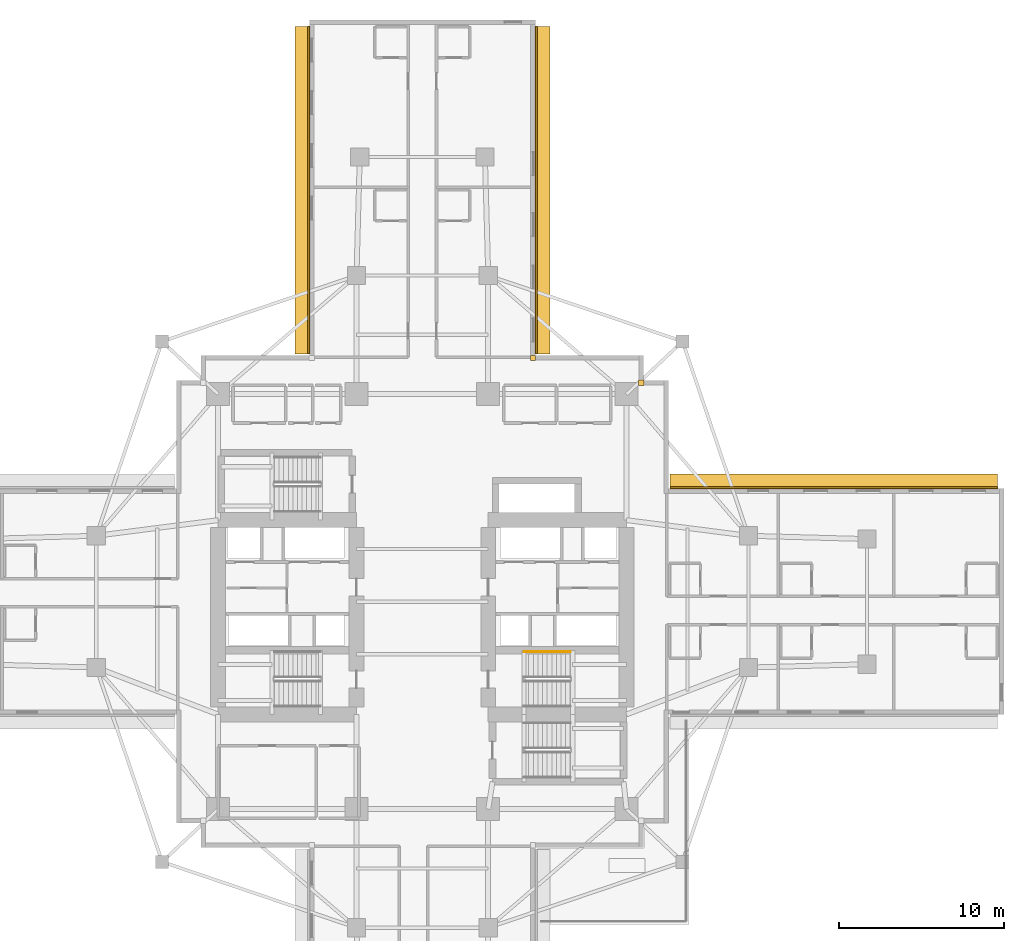
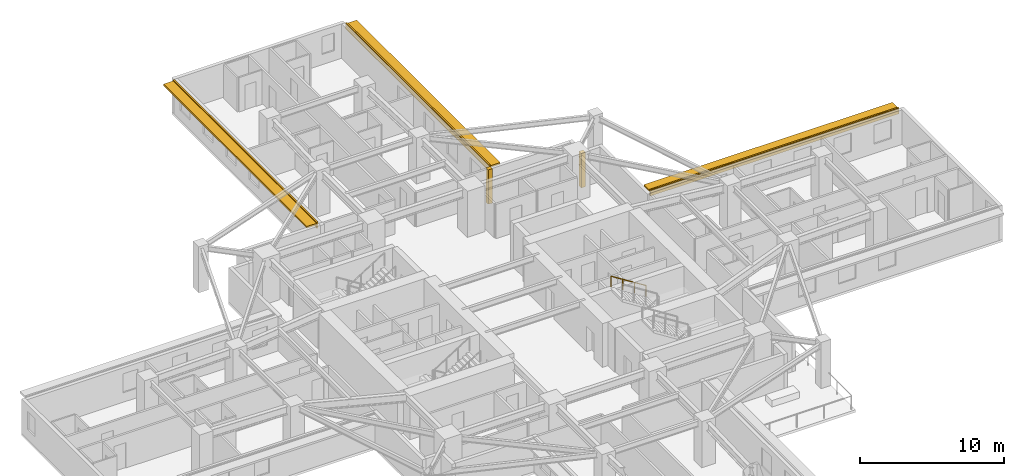
# One storey, part 13 of 13: 5 coverings, 3 shading devices, 1 railing.
"""IFC4 building model written with IfcOpenShell, lengths in metres."""

from ifc_helpers import new_model, si_unit, direction, frame, origin, origin_2d, place, context, subcontext, project, spatial, rectangle, circle, extrude, material, layer, layer_set, type_object, element, save


model = new_model("IFC4")

# Units and contexts
model_context = context("Model", 3, precision=1e-05, world=origin(), true_north=direction((0.0, 1.0)))
body_context = subcontext(model_context, "Body", "Model", "MODEL_VIEW")
ifc_project = project(units=[si_unit("LENGTHUNIT", "METRE"), si_unit("AREAUNIT", "SQUARE_METRE"), si_unit("VOLUMEUNIT", "CUBIC_METRE"), si_unit("PLANEANGLEUNIT", "RADIAN"), si_unit("MASSUNIT", "GRAM", prefix="KILO")], contexts=[model_context])

# Site, building, storey
site_placement = place(None, origin())
site = spatial("IfcSite", under=ifc_project, at=site_placement, CompositionType="ELEMENT")
building_placement = place(site_placement, origin())
building = spatial("IfcBuilding", under=site, at=building_placement, Name="Qingluan Cross Belvedere", CompositionType="ELEMENT")
storey_placement = place(building_placement, frame((0.0, 0.0, 63.89990234375)))
storey = spatial("IfcBuildingStorey", under=building, at=storey_placement, Name="L16", CompositionType="ELEMENT", Elevation=63.89990234375)

# Coverings
ifc_material_1 = material(Name="Precast concrete C45", Category="concrete")
ifc_layer_1 = layer(ifc_material_1, 0.1201171875, Name="ConcreteSpandrelCladding_120")
ifc_layer_set_1 = layer_set([ifc_layer_1], Name="Precast concrete C45")
covering_type = type_object("IfcCoveringType", Name="ConcreteSpandrelCladding_120", PredefinedType="CLADDING", material=ifc_layer_set_1)
for number, where, z_axis, x_axis, name in (
    (1, (24.989990234375, 6.909912109375, 2.4501953125), (0.0, 0.0, 1.0), (-1.0, 0.0, 0.0), "Spandrel cladding L16-EB"),
    (2, (6.909912109375, 24.989990234375, 2.4501953125), (0.0, 0.0, 1.0), (0.0, 1.0, 0.0), "Spandrel cladding L16-NA"),
    (3, (-6.909912109375, 24.989990234375, 2.4501953125), (0.0, 0.0, 1.0), (0.0, -1.0, 0.0), "Spandrel cladding L16-NB"),
):
    element("IfcCovering", number, at=place(storey_placement, frame(where, z_axis=z_axis, x_axis=x_axis)), inside=storey, type_object=covering_type, Name=name, PredefinedType="CLADDING", context=body_context, shape_type="SweptSolid", body=[
        extrude(rectangle(XDim=19.89990234375, YDim=0.1201171875, at=origin_2d()), origin(), (0.0, 0.0, 1.0), 0.52001953125),
    ])
for number, where, z_axis, x_axis, name in (
    (4, (13.300048828125, 13.300048828125, 0.0), (0.0, 0.0, 1.0), (1.0, 0.0, 0.0), "Corner closure L16-NE1"),
    (5, (6.719970703125, 14.800048828125, 0.0), (0.0, 0.0, 1.0), (1.0, 0.0, 0.0), "Corner closure L16-NE2"),
):
    element("IfcCovering", number, at=place(storey_placement, frame(where, z_axis=z_axis, x_axis=x_axis)), inside=storey, type_object=covering_type, Name=name, PredefinedType="CLADDING", context=body_context, shape_type="SweptSolid", body=[
        extrude(rectangle(XDim=0.320068359375, YDim=0.320068359375, at=origin_2d()), origin(), (0.0, 0.0, 1.0), 2.909912109375),
    ])

# Shading devices
ifc_material_2 = material(Name="Precast concrete C45", Category="concrete")
ifc_layer_2 = layer(ifc_material_2, 0.159912109375, Name="ConcreteSunshadeBand_900")
ifc_layer_set_2 = layer_set([ifc_layer_2], Name="Precast concrete C45")
shading_device_type = type_object("IfcShadingDeviceType", Name="ConcreteSunshadeBand_900", PredefinedType="USERDEFINED", material=ifc_layer_set_2)
for number, where, z_axis, x_axis, name in (
    (6, (24.989990234375, 7.2900390625, 2.72998046875), (0.0, 0.0, 1.0), (-1.0, 0.0, 0.0), "Concrete SUNSHADE L16-EB"),
    (7, (7.2900390625, 24.989990234375, 2.72998046875), (0.0, 0.0, 1.0), (0.0, 1.0, 0.0), "Concrete SUNSHADE L16-NA"),
    (8, (-7.2900390625, 24.989990234375, 2.72998046875), (0.0, 0.0, 1.0), (0.0, -1.0, 0.0), "Concrete SUNSHADE L16-NB"),
):
    element("IfcShadingDevice", number, at=place(storey_placement, frame(where, z_axis=z_axis, x_axis=x_axis)), inside=storey, type_object=shading_device_type, Name=name, ObjectType="SUNSHADE", PredefinedType="USERDEFINED", context=body_context, shape_type="SweptSolid", body=[
        extrude(rectangle(XDim=19.89990234375, YDim=0.89990234375, at=origin_2d()), origin(), (0.0, 0.0, 1.0), 0.159912109375),
    ])

# Railing
ifc_material_3 = material(Name="Brushed stainless steel tubular handrail", Category="steel")
railing_type = type_object("IfcRailingType", Name="StairPitchHandrail_900", PredefinedType="HANDRAIL", material=ifc_material_3)
railing_placement = place(storey_placement, frame((8.97998046875, -3.050048828125, 2.12744140625)))
element("IfcRailing", 9, at=railing_placement, inside=storey, type_object=railing_type, Name="L16 ST2 stair handrail 2", PredefinedType="HANDRAIL", context=body_context, shape_type="SweptSolid", body=[
    extrude(circle(Radius=0.02392578125, at=origin_2d()), frame((0.0, 0.0, 0.8759765625), z_axis=(-0.844908973607, 0.0, 0.534910110503), x_axis=(0.0, -1.0, 0.0)), (0.0, 0.0, 1.0), 3.31396484375),
    extrude(circle(Radius=0.02099609375, at=origin_2d()), origin(), (0.0, 0.0, 1.0), 0.851806640625),
    extrude(circle(Radius=0.02099609375, at=origin_2d()), frame((-0.933349609375, 0.0, 0.5908203125)), (0.0, 0.0, 1.0), 0.851806640625),
    extrude(circle(Radius=0.02099609375, at=origin_2d()), frame((-1.86669921875, 0.0, 1.181884765625)), (0.0, 0.0, 1.0), 0.851806640625),
    extrude(circle(Radius=0.02099609375, at=origin_2d()), frame((-2.800048828125, 0.0, 1.772705078125)), (0.0, 0.0, 1.0), 0.851806640625),
])

save(model, "model.ifc")
